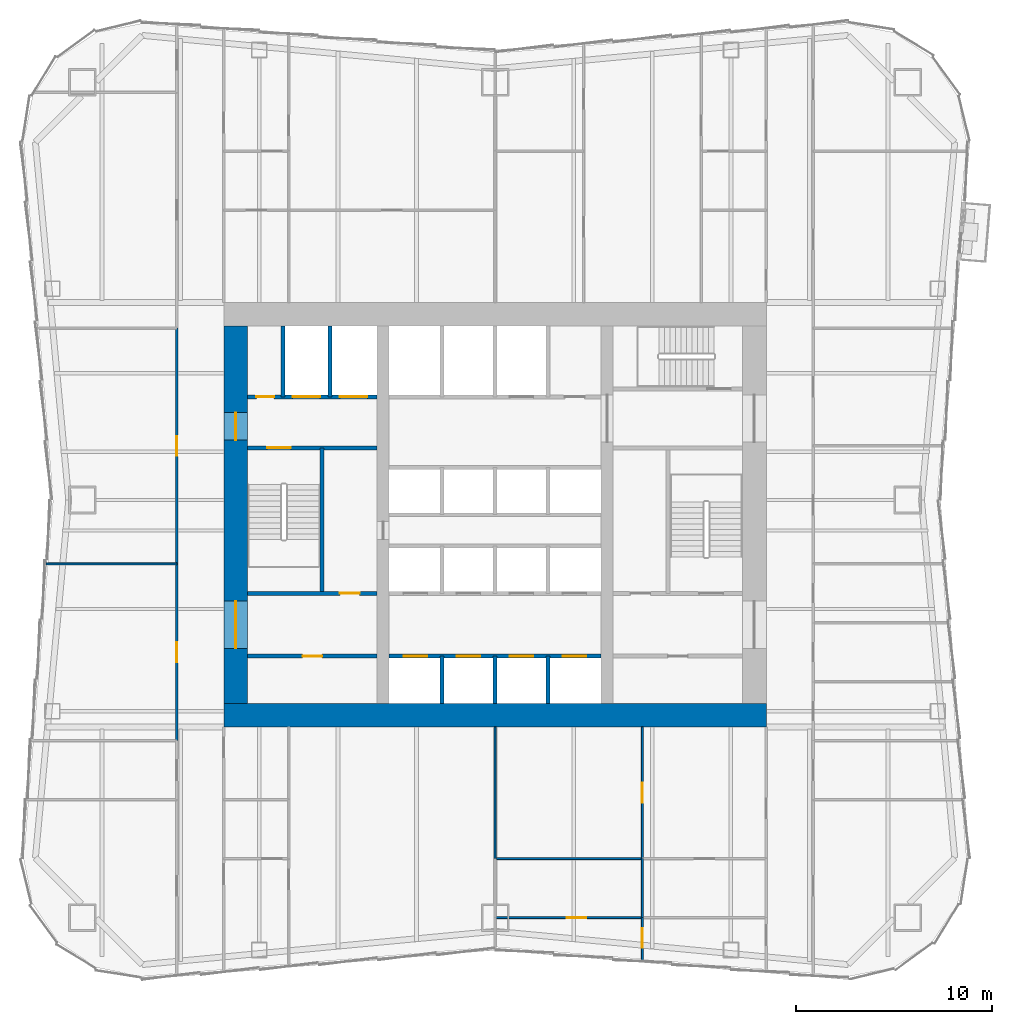
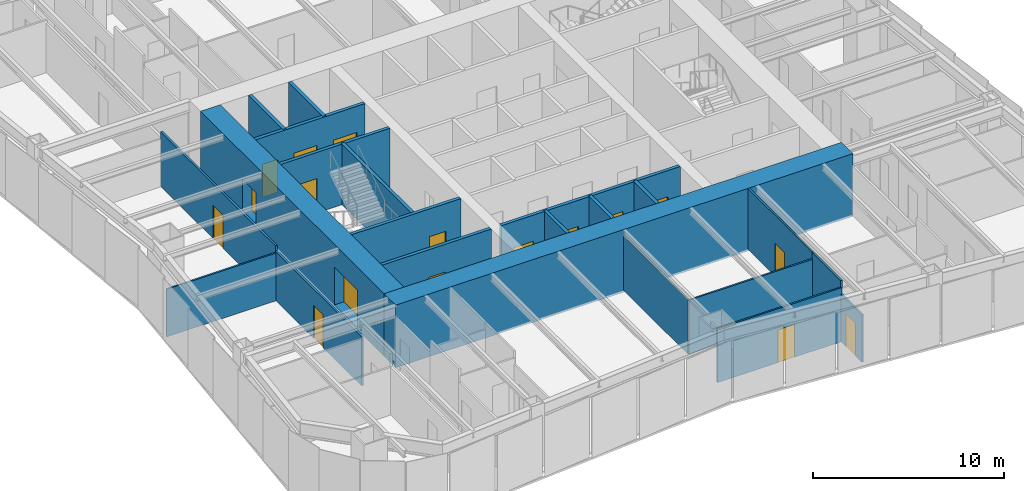
# One storey, part 4 of 9: 22 walls, 17 doors, 17 openings.
"""IFC4 building model written with IfcOpenShell, lengths in metres."""

import ifcopenshell
import ifcopenshell.guid

model = None  # the IFC model being written
_history = None  # IfcOwnerHistory: only IFC2X3 demands one
_inside = {}  # id of a spatial element -> (the spatial element, [elements in it])
_under = {}  # id of a project, library or spatial element -> (it, [spatial elements below it])
_declared = {}  # id of a project -> (the project, [libraries it declares])
_typed = {}  # id of a type object -> (the type object, [elements of that type])
_made_of = {}  # id of a material, layer set ... -> (it, [elements and type objects made of it])


def new_model(schema):
    """Start an empty IFC model of exactly this schema.

    Asked for "IFC4X3", IfcOpenShell would pick the latest addendum, in which some entities
    have other attributes; the version numbers below select the first issue.
    IFC2X3 requires an IfcOwnerHistory on every rooted entity: one is made here for all.
    """
    global model, _history
    if schema == "IFC4X3":
        model = ifcopenshell.file(schema_version=(4, 3, 0, 0))
    else:
        model = ifcopenshell.file(schema=schema)
    _inside.clear()
    _under.clear()
    _declared.clear()
    _typed.clear()
    _made_of.clear()
    _history = None
    if model.schema == "IFC2X3":
        org = make("IfcOrganization", Name="unknown")
        user = make(
            "IfcPersonAndOrganization",
            ThePerson=make("IfcPerson", FamilyName="unknown"),
            TheOrganization=org,
        )
        app = make(
            "IfcApplication",
            ApplicationDeveloper=org,
            Version="unknown",
            ApplicationFullName="unknown",
            ApplicationIdentifier="unknown",
        )
        _history = make(
            "IfcOwnerHistory",
            OwningUser=user,
            OwningApplication=app,
            ChangeAction="ADDED",
            CreationDate=0,
        )
    return model


def make(cls, **values):
    """One entity of the class cls with the attributes given. An attribute that is None is left unset."""
    return model.create_entity(
        cls, **{name: value for name, value in values.items() if value is not None}
    )


def rooted(cls, **values):
    """An entity with a GlobalId (a new one), such as an element, a storey or a relation."""
    return make(cls, GlobalId=ifcopenshell.guid.new(), OwnerHistory=_history, **values)


def si_unit(unit_type, name, prefix=None):
    """IfcSIUnit, for example si_unit("LENGTHUNIT", "METRE", prefix="MILLI")."""
    return make("IfcSIUnit", UnitType=unit_type, Prefix=prefix, Name=name)


def assignment(units):
    """IfcUnitAssignment: the units of a project."""
    return None if units is None else make("IfcUnitAssignment", Units=units)


def point(xyz):
    """IfcCartesianPoint."""
    return None if xyz is None else make("IfcCartesianPoint", Coordinates=xyz)


def direction(xyz):
    """IfcDirection."""
    return None if xyz is None else make("IfcDirection", DirectionRatios=xyz)


def frame(location, z_axis=None, x_axis=None):
    """IfcAxis2Placement3D, a coordinate frame: its origin and axes. An axis left out is left unset."""
    return make(
        "IfcAxis2Placement3D",
        Location=point(location),
        Axis=direction(z_axis),
        RefDirection=direction(x_axis),
    )


def frame_2d(location, x_axis=None):
    """IfcAxis2Placement2D, a coordinate frame in the plane: its origin and x axis."""
    return make(
        "IfcAxis2Placement2D", Location=point(location), RefDirection=direction(x_axis)
    )


def origin():
    """The frame at (0, 0, 0) with its axes left unset."""
    return frame((0.0, 0.0, 0.0))


def place(relative_to, where):
    """IfcLocalPlacement: puts the frame where relative to a parent placement (None: the world)."""
    return make(
        "IfcLocalPlacement", PlacementRelTo=relative_to, RelativePlacement=where
    )


def context(
    kind, dimensions, precision=None, world=None, true_north=None, identifier=None
):
    """IfcGeometricRepresentationContext, for example the 3D "Model" context."""
    return make(
        "IfcGeometricRepresentationContext",
        ContextIdentifier=identifier,
        ContextType=kind,
        CoordinateSpaceDimension=dimensions,
        Precision=precision,
        WorldCoordinateSystem=world,
        TrueNorth=true_north,
    )


def subcontext(parent, identifier, kind, view, scale=None):
    """IfcGeometricRepresentationSubContext, for example "Body" below "Model"."""
    return make(
        "IfcGeometricRepresentationSubContext",
        ContextIdentifier=identifier,
        ContextType=kind,
        ParentContext=parent,
        TargetScale=scale,
        TargetView=view,
    )


def project(units=None, contexts=None):
    """IfcProject with its units and contexts."""
    return rooted(
        "IfcProject",
        Name="project",
        RepresentationContexts=contexts,
        UnitsInContext=assignment(units),
    )


def spatial(cls, under=None, at=None, **own):
    """A site, building, storey or space (cls), placed at a placement, below another one or the project."""
    s = rooted(cls, ObjectPlacement=at, **own)
    if under is not None:
        _under.setdefault(under.id(), (under, []))[1].append(s)
    return s


def profile(cls, at=None, kind="AREA", **sizes):
    """A parametric profile (cls). Its sizes go by their IFC names, for example OverallWidth=200.0."""
    return make(cls, ProfileType=kind, Position=at, **sizes)


def rectangle(**sizes):
    """IfcRectangleProfileDef."""
    return profile("IfcRectangleProfileDef", **sizes)


def extrude(swept, where, along, depth):
    """IfcExtrudedAreaSolid: the profile swept, set in the frame where, extruded along a direction by depth."""
    return make(
        "IfcExtrudedAreaSolid",
        SweptArea=swept,
        Position=where,
        ExtrudedDirection=direction(along),
        Depth=depth,
    )


def shape(context_of_items, identifier, shape_type, items):
    """IfcShapeRepresentation: the items that make up one representation, for example the "Body"."""
    return make(
        "IfcShapeRepresentation",
        ContextOfItems=context_of_items,
        RepresentationIdentifier=identifier,
        RepresentationType=shape_type,
        Items=items,
    )


def material(Name=None, Category=None):
    """IfcMaterial."""
    return make("IfcMaterial", Name=Name, Category=Category)


def layer(
    of_material, thickness, ventilated=None, Name=None, Category=None, Priority=None
):
    """IfcMaterialLayer: one layer of a wall or slab, of a material (None: an air gap)."""
    return make(
        "IfcMaterialLayer",
        Material=of_material,
        LayerThickness=thickness,
        IsVentilated=ventilated,
        Name=Name,
        Category=Category,
        Priority=Priority,
    )


def layer_set(layers, Name=None):
    """IfcMaterialLayerSet."""
    return make("IfcMaterialLayerSet", MaterialLayers=layers, LayerSetName=Name)


def made_of(thing, what):
    """Note that an element or type object is made of a material, layer set ...; save() writes the relation."""
    if what is not None:
        _made_of.setdefault(what.id(), (what, []))[1].append(thing)
    return thing


def type_object(cls, material=None, **own):
    """A type object (cls), such as IfcWallType, which elements share."""
    return made_of(rooted(cls, **own), material)


def element(
    cls,
    number,
    at=None,
    inside=None,
    cuts=None,
    type_object=None,
    material=None,
    context=None,
    identifier="Body",
    shape_type=None,
    held_by="IfcProductDefinitionShape",
    body=None,
    shapes=None,
    **own,
):
    """One element of the class cls, such as IfcWall. Its Tag is "e" and its number.

    at: its placement. inside: the storey or other place that contains it. cuts: it is an
    opening in that element (IfcRelVoidsElement). A single representation is given by context,
    identifier, shape_type and body (its items); several are given by shapes. held_by: the class
    of the entity that holds the representations. save() writes the other relations.
    """
    e = rooted(cls, Tag="e%d" % number, ObjectPlacement=at, **own)
    if body is not None:
        shapes = [shape(context, identifier, shape_type, body)]
    if shapes is not None:
        e.Representation = make(held_by, Representations=shapes)
    if inside is not None:
        _inside.setdefault(inside.id(), (inside, []))[1].append(e)
    if cuts is not None:
        rooted(
            "IfcRelVoidsElement", RelatingBuildingElement=cuts, RelatedOpeningElement=e
        )
    if type_object is not None:
        _typed.setdefault(type_object.id(), (type_object, []))[1].append(e)
    return made_of(e, material)


def fill(opening, filler):
    """IfcRelFillsElement: the door or window that sits in an opening."""
    return rooted(
        "IfcRelFillsElement",
        RelatingOpeningElement=opening,
        RelatedBuildingElement=filler,
    )


def aggregate(whole, parts):
    """IfcRelAggregates: a whole, such as a stair, and the parts it consists of."""
    return rooted("IfcRelAggregates", RelatingObject=whole, RelatedObjects=parts)


def save(model, path):
    """Write the relations noted so far, then the file.

    IfcRelAggregates (storeys below a building ...), IfcRelContainedInSpatialStructure (elements
    in a storey), IfcRelDefinesByType, IfcRelAssociatesMaterial and IfcRelDeclares: one each for
    every whole, place, type object, material and project.
    """
    for whole, parts in _under.values():
        aggregate(whole, parts)
    for where, things in _inside.values():
        rooted(
            "IfcRelContainedInSpatialStructure",
            RelatedElements=things,
            RelatingStructure=where,
        )
    for kind, things in _typed.values():
        rooted("IfcRelDefinesByType", RelatedObjects=things, RelatingType=kind)
    for what, things in _made_of.values():
        rooted("IfcRelAssociatesMaterial", RelatedObjects=things, RelatingMaterial=what)
    for by, libraries in _declared.values():
        rooted("IfcRelDeclares", RelatingContext=by, RelatedDefinitions=libraries)
    model.write(path)


model = new_model("IFC4")

# Units and contexts
model_context = context("Model", 3, precision=1e-05, world=origin(), true_north=direction((0.0, 1.0)))
body_context = subcontext(model_context, "Body", "Model", "MODEL_VIEW")
ifc_project = project(units=[si_unit("LENGTHUNIT", "METRE"), si_unit("AREAUNIT", "SQUARE_METRE"), si_unit("VOLUMEUNIT", "CUBIC_METRE"), si_unit("PLANEANGLEUNIT", "RADIAN"), si_unit("MASSUNIT", "GRAM", prefix="KILO")], contexts=[model_context])

# Site, building, storey
site_placement = place(None, origin())
site = spatial("IfcSite", under=ifc_project, at=site_placement, CompositionType="ELEMENT")
building_placement = place(site_placement, origin())
building = spatial("IfcBuilding", under=site, at=building_placement, Name="Verdant Reach Tower", CompositionType="ELEMENT")
storey_placement = place(building_placement, frame((0.0, 0.0, 86.0)))
storey = spatial("IfcBuildingStorey", under=building, at=storey_placement, Name="L19", CompositionType="ELEMENT", Elevation=86.0)

# Wall, opening, door
ifc_material_1 = material(Name="Gypsum board on steel studs", Category="steel")
ifc_layer_1 = layer(ifc_material_1, 0.199951171875)
ifc_layer_set_1 = layer_set([ifc_layer_1], Name="CO-WALL-ROOM")
wall_type_1 = type_object("IfcWallType", Name="CO-WALL-ROOM", PredefinedType="PARTITIONING", material=ifc_layer_set_1)
wall_1_placement = place(storey_placement, frame((-12.60009765625, 20.800048828125, 0.0), z_axis=(0.0, 0.0, 1.0), x_axis=(1.0, 0.0, 0.0)))
wall_1 = element("IfcWall", 1, at=wall_1_placement, inside=storey, type_object=wall_type_1, Name="Core partition, L19", PredefinedType="PARTITIONING", context=body_context, shape_type="SweptSolid", body=[
    extrude(rectangle(XDim=6.60009765625, YDim=0.199951171875, at=frame_2d((3.300048828125, 0.0))), origin(), (0.0, 0.0, 1.0), 3.8701171875),
])
opening_1_placement = place(wall_1_placement, frame((2.800048828125, 0.0, 0.0)))
opening_1 = element("IfcOpeningElement", 2, at=opening_1_placement, cuts=wall_1, Name="Opening CD", PredefinedType="OPENING", context=body_context, shape_type="SweptSolid", body=[
    extrude(rectangle(XDim=1.0, YDim=2.10009765625, at=frame_2d((0.5, 1.050048828125))), frame((0.0, 0.10986328125, 0.0), z_axis=(0.0, -1.0, 0.0), x_axis=(1.0, 0.0, 0.0)), (0.0, 0.0, 1.0), 0.219970703125),
])
ifc_material_2 = material(Name="Timber", Category="wood")
door_type_1 = type_object("IfcDoorType", Name="CO-DOOR-ROOM", OperationType="NOTDEFINED", PredefinedType="DOOR", material=ifc_material_2)
door_1_placement = place(opening_1_placement, origin())
door_1 = element("IfcDoor", 3, at=door_1_placement, inside=storey, type_object=door_type_1, Name="Core room door, L19", OperationType="SINGLE_SWING_LEFT", OverallHeight=2.10009765625, OverallWidth=1.0, PredefinedType="DOOR", context=body_context, shape_type="SweptSolid", body=[
    extrude(rectangle(XDim=1.0, YDim=2.10009765625, at=frame_2d((0.5, 1.050048828125))), frame((0.0, 0.02490234375, 0.0), z_axis=(0.0, -1.0, 0.0), x_axis=(1.0, 0.0, 0.0)), (0.0, 0.0, 1.0), 0.050048828125),
])
fill(opening_1, door_1)

# Wall, openings, doors
ifc_material_3 = material(Name="Concrete C40/50", Category="concrete")
ifc_layer_2 = layer(ifc_material_3, 0.199951171875)
ifc_layer_set_2 = layer_set([ifc_layer_2], Name="CO-WALL-SHAFT")
wall_type_2 = type_object("IfcWallType", Name="CO-WALL-SHAFT", PredefinedType="PARTITIONING", material=ifc_layer_set_2)
wall_2_placement = place(storey_placement, frame((-5.39990234375, 20.800048828125, 0.0), z_axis=(0.0, 0.0, 1.0), x_axis=(1.0, 0.0, 0.0)))
wall_2 = element("IfcWall", 4, at=wall_2_placement, inside=storey, type_object=wall_type_2, Name="Lift shaft wall, L19", PredefinedType="PARTITIONING", context=body_context, shape_type="SweptSolid", body=[
    extrude(rectangle(XDim=10.7998046875, YDim=0.199951171875, at=frame_2d((5.39990234375, 0.0))), origin(), (0.0, 0.0, 1.0), 3.8701171875),
])
opening_2_placement = place(wall_2_placement, frame((0.75, 0.0, 0.0)))
opening_2 = element("IfcOpeningElement", 5, at=opening_2_placement, cuts=wall_2, Name="Opening LD-A1", PredefinedType="OPENING", context=body_context, shape_type="SweptSolid", body=[
    extrude(rectangle(XDim=1.199951171875, YDim=2.199951171875, at=frame_2d((0.60009765625, 1.10009765625))), frame((0.0, 0.10986328125, 0.0), z_axis=(0.0, -1.0, 0.0), x_axis=(1.0, 0.0, 0.0)), (0.0, 0.0, 1.0), 0.219970703125),
])
opening_3_placement = place(wall_2_placement, frame((3.449951171875, 0.0, 0.0)))
opening_3 = element("IfcOpeningElement", 6, at=opening_3_placement, cuts=wall_2, Name="Opening LD-A2", PredefinedType="OPENING", context=body_context, shape_type="SweptSolid", body=[
    extrude(rectangle(XDim=1.199951171875, YDim=2.199951171875, at=frame_2d((0.60009765625, 1.10009765625))), frame((0.0, 0.10986328125, 0.0), z_axis=(0.0, -1.0, 0.0), x_axis=(1.0, 0.0, 0.0)), (0.0, 0.0, 1.0), 0.219970703125),
])
opening_4_placement = place(wall_2_placement, frame((6.14990234375, 0.0, 0.0)))
opening_4 = element("IfcOpeningElement", 7, at=opening_4_placement, cuts=wall_2, Name="Opening LD-A3", PredefinedType="OPENING", context=body_context, shape_type="SweptSolid", body=[
    extrude(rectangle(XDim=1.199951171875, YDim=2.199951171875, at=frame_2d((0.60009765625, 1.10009765625))), frame((0.0, 0.10986328125, 0.0), z_axis=(0.0, -1.0, 0.0), x_axis=(1.0, 0.0, 0.0)), (0.0, 0.0, 1.0), 0.219970703125),
])
opening_5_placement = place(wall_2_placement, frame((8.85009765625, 0.0, 0.0)))
opening_5 = element("IfcOpeningElement", 8, at=opening_5_placement, cuts=wall_2, Name="Opening LD-A4", PredefinedType="OPENING", context=body_context, shape_type="SweptSolid", body=[
    extrude(rectangle(XDim=1.199951171875, YDim=2.199951171875, at=frame_2d((0.60009765625, 1.10009765625))), frame((0.0, 0.10986328125, 0.0), z_axis=(0.0, -1.0, 0.0), x_axis=(1.0, 0.0, 0.0)), (0.0, 0.0, 1.0), 0.219970703125),
])
ifc_material_4 = material(Name="Stainless steel", Category="steel")
door_type_2 = type_object("IfcDoorType", Name="CO-DOOR-LANDING", OperationType="SLIDING_TO_LEFT", PredefinedType="DOOR", material=ifc_material_4)
door_2_placement = place(opening_2_placement, origin())
door_2 = element("IfcDoor", 9, at=door_2_placement, inside=storey, type_object=door_type_2, Name="Landing door A1, L19", OperationType="SLIDING_TO_LEFT", OverallHeight=2.199951171875, OverallWidth=1.199951171875, PredefinedType="DOOR", context=body_context, shape_type="SweptSolid", body=[
    extrude(rectangle(XDim=1.199951171875, YDim=2.199951171875, at=frame_2d((0.60009765625, 1.10009765625))), frame((0.0, 0.02490234375, 0.0), z_axis=(0.0, -1.0, 0.0), x_axis=(1.0, 0.0, 0.0)), (0.0, 0.0, 1.0), 0.050048828125),
])
fill(opening_2, door_2)
door_3_placement = place(opening_3_placement, origin())
door_3 = element("IfcDoor", 10, at=door_3_placement, inside=storey, type_object=door_type_2, Name="Landing door A2, L19", OperationType="SLIDING_TO_LEFT", OverallHeight=2.199951171875, OverallWidth=1.199951171875, PredefinedType="DOOR", context=body_context, shape_type="SweptSolid", body=[
    extrude(rectangle(XDim=1.199951171875, YDim=2.199951171875, at=frame_2d((0.60009765625, 1.10009765625))), frame((0.0, 0.02490234375, 0.0), z_axis=(0.0, -1.0, 0.0), x_axis=(1.0, 0.0, 0.0)), (0.0, 0.0, 1.0), 0.050048828125),
])
fill(opening_3, door_3)
door_4_placement = place(opening_4_placement, origin())
door_4 = element("IfcDoor", 11, at=door_4_placement, inside=storey, type_object=door_type_2, Name="Landing door A3, L19", OperationType="SLIDING_TO_LEFT", OverallHeight=2.199951171875, OverallWidth=1.199951171875, PredefinedType="DOOR", context=body_context, shape_type="SweptSolid", body=[
    extrude(rectangle(XDim=1.199951171875, YDim=2.199951171875, at=frame_2d((0.60009765625, 1.10009765625))), frame((0.0, 0.02490234375, 0.0), z_axis=(0.0, -1.0, 0.0), x_axis=(1.0, 0.0, 0.0)), (0.0, 0.0, 1.0), 0.050048828125),
])
fill(opening_4, door_4)
door_5_placement = place(opening_5_placement, origin())
door_5 = element("IfcDoor", 12, at=door_5_placement, inside=storey, type_object=door_type_2, Name="Landing door A4, L19", OperationType="SLIDING_TO_LEFT", OverallHeight=2.199951171875, OverallWidth=1.199951171875, PredefinedType="DOOR", context=body_context, shape_type="SweptSolid", body=[
    extrude(rectangle(XDim=1.199951171875, YDim=2.199951171875, at=frame_2d((0.60009765625, 1.10009765625))), frame((0.0, 0.02490234375, 0.0), z_axis=(0.0, -1.0, 0.0), x_axis=(1.0, 0.0, 0.0)), (0.0, 0.0, 1.0), 0.050048828125),
])
fill(opening_5, door_5)

wall_3_placement = place(storey_placement, frame((-12.60009765625, 34.0, 0.0), z_axis=(0.0, 0.0, 1.0), x_axis=(1.0, 0.0, 0.0)))
wall_3 = element("IfcWall", 13, at=wall_3_placement, inside=storey, type_object=wall_type_2, Name="Lift shaft wall, L19", PredefinedType="PARTITIONING", context=body_context, shape_type="SweptSolid", body=[
    extrude(rectangle(XDim=6.60009765625, YDim=0.199951171875, at=frame_2d((3.300048828125, 0.0))), origin(), (0.0, 0.0, 1.0), 3.8701171875),
])
opening_6_placement = place(wall_3_placement, frame((4.699951171875, 0.0, 0.0)))
opening_6 = element("IfcOpeningElement", 14, at=opening_6_placement, cuts=wall_3, Name="Opening LD-F1", PredefinedType="OPENING", context=body_context, shape_type="SweptSolid", body=[
    extrude(rectangle(XDim=1.39990234375, YDim=2.199951171875, at=frame_2d((0.699951171875, 1.10009765625))), frame((0.0, 0.10986328125, 0.0), z_axis=(0.0, -1.0, 0.0), x_axis=(1.0, 0.0, 0.0)), (0.0, 0.0, 1.0), 0.219970703125),
])
opening_7_placement = place(wall_3_placement, frame((2.300048828125, 0.0, 0.0)))
opening_7 = element("IfcOpeningElement", 15, at=opening_7_placement, cuts=wall_3, Name="Opening LD-F2", PredefinedType="OPENING", context=body_context, shape_type="SweptSolid", body=[
    extrude(rectangle(XDim=1.39990234375, YDim=2.199951171875, at=frame_2d((0.699951171875, 1.10009765625))), frame((0.0, 0.10986328125, 0.0), z_axis=(0.0, -1.0, 0.0), x_axis=(1.0, 0.0, 0.0)), (0.0, 0.0, 1.0), 0.219970703125),
])
opening_8_placement = place(wall_3_placement, frame((0.449951171875, 0.0, 0.0)))
opening_8 = element("IfcOpeningElement", 16, at=opening_8_placement, cuts=wall_3, Name="Opening RD", PredefinedType="OPENING", context=body_context, shape_type="SweptSolid", body=[
    extrude(rectangle(XDim=0.89990234375, YDim=2.10009765625, at=frame_2d((0.449951171875, 1.050048828125))), frame((0.0, 0.10986328125, 0.0), z_axis=(0.0, -1.0, 0.0), x_axis=(1.0, 0.0, 0.0)), (0.0, 0.0, 1.0), 0.219970703125),
])
door_type_3 = type_object("IfcDoorType", Name="CO-DOOR-LANDING-FF", OperationType="SLIDING_TO_LEFT", PredefinedType="DOOR", material=ifc_material_4)
door_6_placement = place(opening_6_placement, origin())
door_6 = element("IfcDoor", 17, at=door_6_placement, inside=storey, type_object=door_type_3, Name="Landing door F1, L19", OperationType="SLIDING_TO_LEFT", OverallHeight=2.199951171875, OverallWidth=1.39990234375, PredefinedType="DOOR", context=body_context, shape_type="SweptSolid", body=[
    extrude(rectangle(XDim=1.39990234375, YDim=2.199951171875, at=frame_2d((0.699951171875, 1.10009765625))), frame((0.0, 0.02490234375, 0.0), z_axis=(0.0, -1.0, 0.0), x_axis=(1.0, 0.0, 0.0)), (0.0, 0.0, 1.0), 0.050048828125),
])
fill(opening_6, door_6)
door_7_placement = place(opening_7_placement, origin())
door_7 = element("IfcDoor", 18, at=door_7_placement, inside=storey, type_object=door_type_3, Name="Landing door F2, L19", OperationType="SLIDING_TO_LEFT", OverallHeight=2.199951171875, OverallWidth=1.39990234375, PredefinedType="DOOR", context=body_context, shape_type="SweptSolid", body=[
    extrude(rectangle(XDim=1.39990234375, YDim=2.199951171875, at=frame_2d((0.699951171875, 1.10009765625))), frame((0.0, 0.02490234375, 0.0), z_axis=(0.0, -1.0, 0.0), x_axis=(1.0, 0.0, 0.0)), (0.0, 0.0, 1.0), 0.050048828125),
])
fill(opening_7, door_7)
ifc_material_5 = material(Name="Steel", Category="steel")
door_type_4 = type_object("IfcDoorType", Name="CO-DOOR-RISER", OperationType="NOTDEFINED", PredefinedType="DOOR", material=ifc_material_5)
door_8_placement = place(opening_8_placement, origin())
door_8 = element("IfcDoor", 19, at=door_8_placement, inside=storey, type_object=door_type_4, Name="Core room door, L19", OperationType="SINGLE_SWING_RIGHT", OverallHeight=2.10009765625, OverallWidth=0.89990234375, PredefinedType="DOOR", context=body_context, shape_type="SweptSolid", body=[
    extrude(rectangle(XDim=0.89990234375, YDim=2.10009765625, at=frame_2d((0.449951171875, 1.050048828125))), frame((0.0, 0.02490234375, 0.0), z_axis=(0.0, -1.0, 0.0), x_axis=(1.0, 0.0, 0.0)), (0.0, 0.0, 1.0), 0.050048828125),
])
fill(opening_8, door_8)

# Walls
for number, where, z_axis, x_axis, name in (
    (20, (-10.800048828125, 34.0, 0.0), (0.0, 0.0, 1.0), (0.0, 1.0, 0.0), "Lift shaft wall, L19"),
    (21, (-8.39990234375, 34.0, 0.0), (0.0, 0.0, 1.0), (0.0, 1.0, 0.0), "Lift shaft wall, L19"),
):
    element("IfcWall", number, at=place(storey_placement, frame(where, z_axis=z_axis, x_axis=x_axis)), inside=storey, type_object=wall_type_2, Name=name, PredefinedType="PARTITIONING", context=body_context, shape_type="SweptSolid", body=[
        extrude(rectangle(XDim=3.60009765625, YDim=0.199951171875, at=frame_2d((1.800048828125, 0.0))), origin(), (0.0, 0.0, 1.0), 3.8701171875),
    ])
for number, where, z_axis, x_axis, name in (
    (22, (-2.699951171875, 18.39990234375, 0.0), (0.0, 0.0, 1.0), (0.0, 1.0, 0.0), "Lift shaft wall, L19"),
    (23, (0.0, 18.39990234375, 0.0), (0.0, 0.0, 1.0), (0.0, 1.0, 0.0), "Lift shaft wall, L19"),
    (24, (2.699951171875, 18.39990234375, 0.0), (0.0, 0.0, 1.0), (0.0, 1.0, 0.0), "Lift shaft wall, L19"),
):
    element("IfcWall", number, at=place(storey_placement, frame(where, z_axis=z_axis, x_axis=x_axis)), inside=storey, type_object=wall_type_2, Name=name, PredefinedType="PARTITIONING", context=body_context, shape_type="SweptSolid", body=[
        extrude(rectangle(XDim=2.400146484375, YDim=0.199951171875, at=frame_2d((1.2001953125, 0.0))), origin(), (0.0, 0.0, 1.0), 3.8701171875),
    ])

# Wall, opening, door
ifc_layer_3 = layer(ifc_material_3, 0.199951171875)
ifc_layer_set_3 = layer_set([ifc_layer_3], Name="CO-WALL-STAIR")
wall_type_3 = type_object("IfcWallType", Name="CO-WALL-STAIR", PredefinedType="PARTITIONING", material=ifc_layer_set_3)
wall_4_placement = place(storey_placement, frame((-12.60009765625, 24.0, 0.0), z_axis=(0.0, 0.0, 1.0), x_axis=(1.0, 0.0, 0.0)))
wall_4 = element("IfcWall", 25, at=wall_4_placement, inside=storey, type_object=wall_type_3, Name="Stair enclosure wall, L19", PredefinedType="PARTITIONING", context=body_context, shape_type="SweptSolid", body=[
    extrude(rectangle(XDim=6.60009765625, YDim=0.199951171875, at=frame_2d((3.300048828125, 0.0))), origin(), (0.0, 0.0, 1.0), 3.8701171875),
])
opening_9_placement = place(wall_4_placement, frame((4.699951171875, 0.0, 0.0)))
opening_9 = element("IfcOpeningElement", 26, at=opening_9_placement, cuts=wall_4, Name="Opening CD", PredefinedType="OPENING", context=body_context, shape_type="SweptSolid", body=[
    extrude(rectangle(XDim=1.0, YDim=2.10009765625, at=frame_2d((0.5, 1.050048828125))), frame((0.0, 0.10986328125, 0.0), z_axis=(0.0, -1.0, 0.0), x_axis=(1.0, 0.0, 0.0)), (0.0, 0.0, 1.0), 0.219970703125),
])
door_9_placement = place(opening_9_placement, origin())
door_9 = element("IfcDoor", 27, at=door_9_placement, inside=storey, type_object=door_type_1, Name="Core room door, L19", OperationType="SINGLE_SWING_RIGHT", OverallHeight=2.10009765625, OverallWidth=1.0, PredefinedType="DOOR", context=body_context, shape_type="SweptSolid", body=[
    extrude(rectangle(XDim=1.0, YDim=2.10009765625, at=frame_2d((0.5, 1.050048828125))), frame((0.0, 0.02490234375, 0.0), z_axis=(0.0, -1.0, 0.0), x_axis=(1.0, 0.0, 0.0)), (0.0, 0.0, 1.0), 0.050048828125),
])
fill(opening_9, door_9)

wall_5_placement = place(storey_placement, frame((-12.60009765625, 31.39990234375, 0.0), z_axis=(0.0, 0.0, 1.0), x_axis=(1.0, 0.0, 0.0)))
wall_5 = element("IfcWall", 28, at=wall_5_placement, inside=storey, type_object=wall_type_3, Name="Stair enclosure wall, L19", PredefinedType="PARTITIONING", context=body_context, shape_type="SweptSolid", body=[
    extrude(rectangle(XDim=6.60009765625, YDim=0.199951171875, at=frame_2d((3.300048828125, 0.0))), origin(), (0.0, 0.0, 1.0), 3.8701171875),
])
opening_10_placement = place(wall_5_placement, frame((1.0, 0.0, 0.0)))
opening_10 = element("IfcOpeningElement", 29, at=opening_10_placement, cuts=wall_5, Name="Opening SD", PredefinedType="OPENING", context=body_context, shape_type="SweptSolid", body=[
    extrude(rectangle(XDim=1.199951171875, YDim=2.199951171875, at=frame_2d((0.60009765625, 1.10009765625))), frame((0.0, 0.10986328125, 0.0), z_axis=(0.0, -1.0, 0.0), x_axis=(1.0, 0.0, 0.0)), (0.0, 0.0, 1.0), 0.219970703125),
])
door_type_5 = type_object("IfcDoorType", Name="CO-DOOR-STAIR", OperationType="NOTDEFINED", PredefinedType="DOOR", material=ifc_material_5)
door_10_placement = place(opening_10_placement, origin())
door_10 = element("IfcDoor", 30, at=door_10_placement, inside=storey, type_object=door_type_5, Name="Stair door, L19", OperationType="SINGLE_SWING_RIGHT", OverallHeight=2.199951171875, OverallWidth=1.199951171875, PredefinedType="DOOR", context=body_context, shape_type="SweptSolid", body=[
    extrude(rectangle(XDim=1.199951171875, YDim=2.199951171875, at=frame_2d((0.60009765625, 1.10009765625))), frame((0.0, 0.02490234375, 0.0), z_axis=(0.0, -1.0, 0.0), x_axis=(1.0, 0.0, 0.0)), (0.0, 0.0, 1.0), 0.050048828125),
])
fill(opening_10, door_10)

# Walls
wall_6_placement = place(storey_placement, frame((-8.800048828125, 24.0, 0.0), z_axis=(0.0, 0.0, 1.0), x_axis=(0.0, 1.0, 0.0)))
element("IfcWall", 31, at=wall_6_placement, inside=storey, type_object=wall_type_3, Name="Stair enclosure wall, L19", PredefinedType="PARTITIONING", context=body_context, shape_type="SweptSolid", body=[
    extrude(rectangle(XDim=7.39990234375, YDim=0.199951171875, at=frame_2d((3.699951171875, 0.0))), origin(), (0.0, 0.0, 1.0), 3.8701171875),
])
ifc_layer_4 = layer(ifc_material_1, 0.10009765625)
ifc_layer_set_4 = layer_set([ifc_layer_4], Name="FL-W1 Partition 100")
wall_type_4 = type_object("IfcWallType", Name="FL-W1 Partition 100", PredefinedType="PARTITIONING", material=ifc_layer_set_4)
wall_7_placement = place(storey_placement, frame((-16.199951171875, 25.5, 0.0), z_axis=(0.0, 0.0, 1.0), x_axis=(-1.0, 0.0, 0.0)))
element("IfcWall", 32, at=wall_7_placement, inside=storey, type_object=wall_type_4, Name="Partition 19.30", PredefinedType="PARTITIONING", context=body_context, shape_type="SweptSolid", body=[
    extrude(rectangle(XDim=6.647216796875, YDim=0.10009765625, at=frame_2d((3.32373046875, 0.0))), origin(), (0.0, 0.0, 1.0), 3.0400390625),
])
wall_8_placement = place(storey_placement, frame((0.0, 10.5, 0.0), z_axis=(0.0, 0.0, 1.0), x_axis=(0.0, 1.0, 0.0)))
element("IfcWall", 33, at=wall_8_placement, inside=storey, type_object=wall_type_4, Name="Partition 19.48", PredefinedType="PARTITIONING", context=body_context, shape_type="SweptSolid", body=[
    extrude(rectangle(XDim=6.699951171875, YDim=0.10009765625, at=frame_2d((3.35009765625, 0.0))), origin(), (0.0, 0.0, 1.0), 3.47998046875),
])

# Wall, opening, door
wall_9_placement = place(storey_placement, frame((7.5, 5.294921875, 0.0), z_axis=(0.0, 0.0, 1.0), x_axis=(0.0, 1.0, 0.0)))
wall_9 = element("IfcWall", 34, at=wall_9_placement, inside=storey, type_object=wall_type_4, Name="Partition 19.50", PredefinedType="PARTITIONING", context=body_context, shape_type="SweptSolid", body=[
    extrude(rectangle(XDim=2.205078125, YDim=0.10009765625, at=frame_2d((1.1025390625, 0.0))), origin(), (0.0, 0.0, 1.0), 3.0400390625),
])
opening_11_placement = place(wall_9_placement, frame((0.66748046875, 0.0, 0.0)))
opening_11 = element("IfcOpeningElement", 35, at=opening_11_placement, cuts=wall_9, Name="Opening D3", PredefinedType="OPENING", context=body_context, shape_type="SweptSolid", body=[
    extrude(rectangle(XDim=1.0, YDim=2.10009765625, at=frame_2d((0.5, 1.050048828125))), frame((0.0, 0.06005859375, 0.0), z_axis=(0.0, -1.0, 0.0), x_axis=(1.0, 0.0, 0.0)), (0.0, 0.0, 1.0), 0.1201171875),
])
ifc_material_6 = material(Name="Painted timber door leaf", Category="wood")
door_type_6 = type_object("IfcDoorType", Name="FL-D3 Door 1000x2100", OperationType="NOTDEFINED", PredefinedType="DOOR", material=ifc_material_6)
door_11_placement = place(opening_11_placement, origin())
door_11 = element("IfcDoor", 36, at=door_11_placement, inside=storey, type_object=door_type_6, Name="Door 19-025", OperationType="SINGLE_SWING_RIGHT", OverallHeight=2.10009765625, OverallWidth=1.0, PredefinedType="DOOR", context=body_context, shape_type="SweptSolid", body=[
    extrude(rectangle(XDim=1.0, YDim=2.10009765625, at=frame_2d((0.5, 1.050048828125))), frame((0.0, 0.02490234375, 0.0), z_axis=(0.0, -1.0, 0.0), x_axis=(1.0, 0.0, 0.0)), (0.0, 0.0, 1.0), 0.050048828125),
])
fill(opening_11, door_11)

# Wall
wall_10_placement = place(storey_placement, frame((7.5, 10.5, 0.0), z_axis=(0.0, 0.0, 1.0), x_axis=(0.0, -1.0, 0.0)))
element("IfcWall", 37, at=wall_10_placement, inside=storey, type_object=wall_type_4, Name="Partition 19.52", PredefinedType="PARTITIONING", context=body_context, shape_type="SweptSolid", body=[
    extrude(rectangle(XDim=3.0, YDim=0.10009765625, at=frame_2d((1.5, 0.0))), origin(), (0.0, 0.0, 1.0), 3.8701171875),
])

# Wall, opening, door
wall_11_placement = place(storey_placement, frame((7.5, 10.5, 0.0), z_axis=(0.0, 0.0, 1.0), x_axis=(0.0, 1.0, 0.0)))
wall_11 = element("IfcWall", 38, at=wall_11_placement, inside=storey, type_object=wall_type_4, Name="Partition 19.53", PredefinedType="PARTITIONING", context=body_context, shape_type="SweptSolid", body=[
    extrude(rectangle(XDim=6.699951171875, YDim=0.10009765625, at=frame_2d((3.35009765625, 0.0))), origin(), (0.0, 0.0, 1.0), 3.8701171875),
])
opening_12_placement = place(wall_11_placement, frame((2.85009765625, 0.0, 0.0)))
opening_12 = element("IfcOpeningElement", 39, at=opening_12_placement, cuts=wall_11, Name="Opening D3", PredefinedType="OPENING", context=body_context, shape_type="SweptSolid", body=[
    extrude(rectangle(XDim=1.0, YDim=2.10009765625, at=frame_2d((0.5, 1.050048828125))), frame((0.0, 0.06005859375, 0.0), z_axis=(0.0, -1.0, 0.0), x_axis=(1.0, 0.0, 0.0)), (0.0, 0.0, 1.0), 0.1201171875),
])
door_12_placement = place(opening_12_placement, origin())
door_12 = element("IfcDoor", 40, at=door_12_placement, inside=storey, type_object=door_type_6, Name="Door 19-027", OperationType="SINGLE_SWING_LEFT", OverallHeight=2.10009765625, OverallWidth=1.0, PredefinedType="DOOR", context=body_context, shape_type="SweptSolid", body=[
    extrude(rectangle(XDim=1.0, YDim=2.10009765625, at=frame_2d((0.5, 1.050048828125))), frame((0.0, 0.02490234375, 0.0), z_axis=(0.0, -1.0, 0.0), x_axis=(1.0, 0.0, 0.0)), (0.0, 0.0, 1.0), 0.050048828125),
])
fill(opening_12, door_12)

wall_12_placement = place(storey_placement, frame((0.0, 7.5, 0.0), z_axis=(0.0, 0.0, 1.0), x_axis=(1.0, 0.0, 0.0)))
wall_12 = element("IfcWall", 41, at=wall_12_placement, inside=storey, type_object=wall_type_4, Name="Partition 19.54", PredefinedType="PARTITIONING", context=body_context, shape_type="SweptSolid", body=[
    extrude(rectangle(XDim=7.5, YDim=0.10009765625, at=frame_2d((3.75, 0.0))), origin(), (0.0, 0.0, 1.0), 3.43994140625),
])
opening_13_placement = place(wall_12_placement, frame((3.64990234375, 0.0, 0.0)))
opening_13 = element("IfcOpeningElement", 42, at=opening_13_placement, cuts=wall_12, Name="Opening D3", PredefinedType="OPENING", context=body_context, shape_type="SweptSolid", body=[
    extrude(rectangle(XDim=1.0, YDim=2.10009765625, at=frame_2d((0.5, 1.050048828125))), frame((0.0, 0.06005859375, 0.0), z_axis=(0.0, -1.0, 0.0), x_axis=(1.0, 0.0, 0.0)), (0.0, 0.0, 1.0), 0.1201171875),
])
door_13_placement = place(opening_13_placement, origin())
door_13 = element("IfcDoor", 43, at=door_13_placement, inside=storey, type_object=door_type_6, Name="Door 19-028", OperationType="SINGLE_SWING_RIGHT", OverallHeight=2.10009765625, OverallWidth=1.0, PredefinedType="DOOR", context=body_context, shape_type="SweptSolid", body=[
    extrude(rectangle(XDim=1.0, YDim=2.10009765625, at=frame_2d((0.5, 1.050048828125))), frame((0.0, 0.02490234375, 0.0), z_axis=(0.0, -1.0, 0.0), x_axis=(1.0, 0.0, 0.0)), (0.0, 0.0, 1.0), 0.050048828125),
])
fill(opening_13, door_13)

# Wall
wall_13_placement = place(storey_placement, frame((7.5, 10.5, 0.0), z_axis=(0.0, 0.0, 1.0), x_axis=(-1.0, 0.0, 0.0)))
element("IfcWall", 44, at=wall_13_placement, inside=storey, type_object=wall_type_4, Name="Partition 19.55", PredefinedType="PARTITIONING", context=body_context, shape_type="SweptSolid", body=[
    extrude(rectangle(XDim=7.5, YDim=0.10009765625, at=frame_2d((3.75, 0.0))), origin(), (0.0, 0.0, 1.0), 3.43994140625),
])

# Wall, opening, door
ifc_material_7 = material(Name="Gypsum board on steel studs, fire rated", Category="steel")
ifc_layer_5 = layer(ifc_material_7, 0.125)
ifc_layer_set_5 = layer_set([ifc_layer_5], Name="FL-W2 Corridor wall 125")
wall_type_5 = type_object("IfcWallType", Name="FL-W2 Corridor wall 125", PredefinedType="PARTITIONING", material=ifc_layer_set_5)
wall_14_placement = place(storey_placement, frame((-16.199951171875, 16.5, 0.0), z_axis=(0.0, 0.0, 1.0), x_axis=(0.0, 1.0, 0.0)))
wall_14 = element("IfcWall", 45, at=wall_14_placement, inside=storey, type_object=wall_type_5, Name="Partition 19.03", PredefinedType="PARTITIONING", context=body_context, shape_type="SweptSolid", body=[
    extrude(rectangle(XDim=9.0, YDim=0.125, at=frame_2d((4.5, 0.0))), origin(), (0.0, 0.0, 1.0), 3.139892578125),
])
opening_14_placement = place(wall_14_placement, frame((4.0, 0.0, 0.0)))
opening_14 = element("IfcOpeningElement", 46, at=opening_14_placement, cuts=wall_14, Name="Opening D2", PredefinedType="OPENING", context=body_context, shape_type="SweptSolid", body=[
    extrude(rectangle(XDim=1.0, YDim=2.10009765625, at=frame_2d((0.5, 1.050048828125))), frame((0.0, 0.072509765625, 0.0), z_axis=(0.0, -1.0, 0.0), x_axis=(1.0, 0.0, 0.0)), (0.0, 0.0, 1.0), 0.14501953125),
])
ifc_material_8 = material(Name="Timber door leaf, fire rated", Category="wood")
door_type_7 = type_object("IfcDoorType", Name="FL-D2 Entrance door 1000x2100 FD30", OperationType="NOTDEFINED", PredefinedType="DOOR", material=ifc_material_8)
door_14_placement = place(opening_14_placement, origin())
door_14 = element("IfcDoor", 47, at=door_14_placement, inside=storey, type_object=door_type_7, Name="Door 19-003", OperationType="SINGLE_SWING_LEFT", OverallHeight=2.10009765625, OverallWidth=1.0, PredefinedType="DOOR", context=body_context, shape_type="SweptSolid", body=[
    extrude(rectangle(XDim=1.0, YDim=2.10009765625, at=frame_2d((0.5, 1.050048828125))), frame((0.0, 0.02490234375, 0.0), z_axis=(0.0, -1.0, 0.0), x_axis=(1.0, 0.0, 0.0)), (0.0, 0.0, 1.0), 0.050048828125),
])
fill(opening_14, door_14)

wall_15_placement = place(storey_placement, frame((-16.199951171875, 25.5, 0.0), z_axis=(0.0, 0.0, 1.0), x_axis=(0.0, 1.0, 0.0)))
wall_15 = element("IfcWall", 48, at=wall_15_placement, inside=storey, type_object=wall_type_5, Name="Partition 19.04", PredefinedType="PARTITIONING", context=body_context, shape_type="SweptSolid", body=[
    extrude(rectangle(XDim=12.0, YDim=0.125, at=frame_2d((6.0, 0.0))), origin(), (0.0, 0.0, 1.0), 3.47998046875),
])
opening_15_placement = place(wall_15_placement, frame((5.5, 0.0, 0.0)))
opening_15 = element("IfcOpeningElement", 49, at=opening_15_placement, cuts=wall_15, Name="Opening D2", PredefinedType="OPENING", context=body_context, shape_type="SweptSolid", body=[
    extrude(rectangle(XDim=1.0, YDim=2.10009765625, at=frame_2d((0.5, 1.050048828125))), frame((0.0, 0.072509765625, 0.0), z_axis=(0.0, -1.0, 0.0), x_axis=(1.0, 0.0, 0.0)), (0.0, 0.0, 1.0), 0.14501953125),
])
door_15_placement = place(opening_15_placement, origin())
door_15 = element("IfcDoor", 50, at=door_15_placement, inside=storey, type_object=door_type_7, Name="Door 19-004", OperationType="SINGLE_SWING_RIGHT", OverallHeight=2.10009765625, OverallWidth=1.0, PredefinedType="DOOR", context=body_context, shape_type="SweptSolid", body=[
    extrude(rectangle(XDim=1.0, YDim=2.10009765625, at=frame_2d((0.5, 1.050048828125))), frame((0.0, 0.02490234375, 0.0), z_axis=(0.0, -1.0, 0.0), x_axis=(1.0, 0.0, 0.0)), (0.0, 0.0, 1.0), 0.050048828125),
])
fill(opening_15, door_15)

# Wall
ifc_material_9 = material(Name="Concrete C70/85", Category="concrete")
ifc_layer_6 = layer(ifc_material_9, 1.199951171875)
ifc_layer_set_6 = layer_set([ifc_layer_6], Name="ST-CORE-WALL-1200")
wall_type_6 = type_object("IfcWallType", Name="ST-CORE-WALL-1200", PredefinedType="SHEAR", material=ifc_layer_set_6)
wall_16_placement = place(storey_placement, frame((-13.800048828125, 17.800048828125, -0.1298828125), z_axis=(0.0, 0.0, 1.0), x_axis=(1.0, 0.0, 0.0)))
element("IfcWall", 51, at=wall_16_placement, inside=storey, type_object=wall_type_6, Name="Core wall S, L19", PredefinedType="SHEAR", context=body_context, shape_type="SweptSolid", body=[
    extrude(rectangle(XDim=27.60009765625, YDim=1.199951171875, at=frame_2d((13.800048828125, 0.0))), origin(), (0.0, 0.0, 1.0), 4.0),
])

# Wall, openings, doors
wall_17_placement = place(storey_placement, frame((-13.199951171875, 18.39990234375, -0.1298828125), z_axis=(0.0, 0.0, 1.0), x_axis=(0.0, 1.0, 0.0)))
wall_17 = element("IfcWall", 52, at=wall_17_placement, inside=storey, type_object=wall_type_6, Name="Core wall W, L19", PredefinedType="SHEAR", context=body_context, shape_type="SweptSolid", body=[
    extrude(rectangle(XDim=19.2001953125, YDim=1.199951171875, at=frame_2d((9.60009765625, 0.0))), origin(), (0.0, 0.0, 1.0), 4.0),
])
opening_16_placement = place(wall_17_placement, frame((2.800048828125, 0.0, 0.1298828125)))
opening_16 = element("IfcOpeningElement", 53, at=opening_16_placement, cuts=wall_17, Name="Opening LB", PredefinedType="OPENING", context=body_context, shape_type="SweptSolid", body=[
    extrude(rectangle(XDim=2.39990234375, YDim=2.39990234375, at=frame_2d((1.199951171875, 1.199951171875))), frame((0.0, 0.60986328125, 0.0), z_axis=(0.0, -1.0, 0.0), x_axis=(1.0, 0.0, 0.0)), (0.0, 0.0, 1.0), 1.219970703125),
])
opening_17_placement = place(wall_17_placement, frame((13.39990234375, 0.0, 0.1298828125)))
opening_17 = element("IfcOpeningElement", 54, at=opening_17_placement, cuts=wall_17, Name="Opening FL", PredefinedType="OPENING", context=body_context, shape_type="SweptSolid", body=[
    extrude(rectangle(XDim=1.39990234375, YDim=2.199951171875, at=frame_2d((0.699951171875, 1.10009765625))), frame((0.0, 0.60986328125, 0.0), z_axis=(0.0, -1.0, 0.0), x_axis=(1.0, 0.0, 0.0)), (0.0, 0.0, 1.0), 1.219970703125),
])
door_type_8 = type_object("IfcDoorType", Name="CO-DOOR-FFL", OperationType="NOTDEFINED", PredefinedType="DOOR", material=ifc_material_5)
door_16_placement = place(opening_17_placement, origin())
door_16 = element("IfcDoor", 55, at=door_16_placement, inside=storey, type_object=door_type_8, Name="Core entrance door, L19", OperationType="SINGLE_SWING_RIGHT", OverallHeight=2.199951171875, OverallWidth=1.39990234375, PredefinedType="DOOR", context=body_context, shape_type="SweptSolid", body=[
    extrude(rectangle(XDim=1.39990234375, YDim=2.199951171875, at=frame_2d((0.699951171875, 1.10009765625))), frame((0.0, 0.02490234375, 0.0), z_axis=(0.0, -1.0, 0.0), x_axis=(1.0, 0.0, 0.0)), (0.0, 0.0, 1.0), 0.050048828125),
])
fill(opening_17, door_16)
ifc_material_10 = material(Name="Glass and steel", Category="steel")
door_type_9 = type_object("IfcDoorType", Name="CO-DOOR-LOBBY", OperationType="DOUBLE_DOOR_SINGLE_SWING", PredefinedType="DOOR", material=ifc_material_10)
door_17_placement = place(opening_16_placement, origin())
door_17 = element("IfcDoor", 56, at=door_17_placement, inside=storey, type_object=door_type_9, Name="Core entrance door, L19", OperationType="DOUBLE_DOOR_SINGLE_SWING", OverallHeight=2.39990234375, OverallWidth=2.39990234375, PredefinedType="DOOR", context=body_context, shape_type="SweptSolid", body=[
    extrude(rectangle(XDim=2.39990234375, YDim=2.39990234375, at=frame_2d((1.199951171875, 1.199951171875))), frame((0.0, 0.02490234375, 0.0), z_axis=(0.0, -1.0, 0.0), x_axis=(1.0, 0.0, 0.0)), (0.0, 0.0, 1.0), 0.050048828125),
])
fill(opening_16, door_17)

save(model, "model.ifc")
